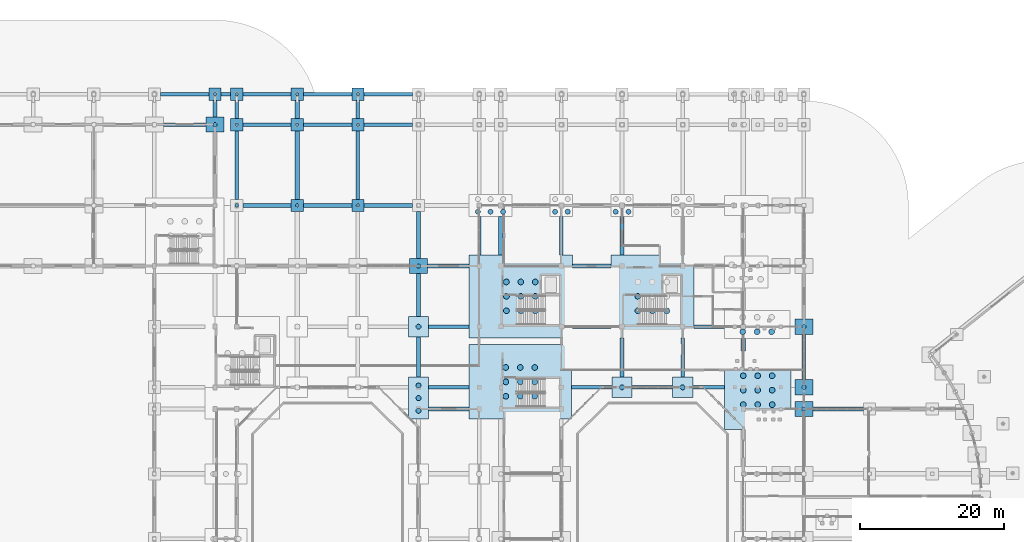
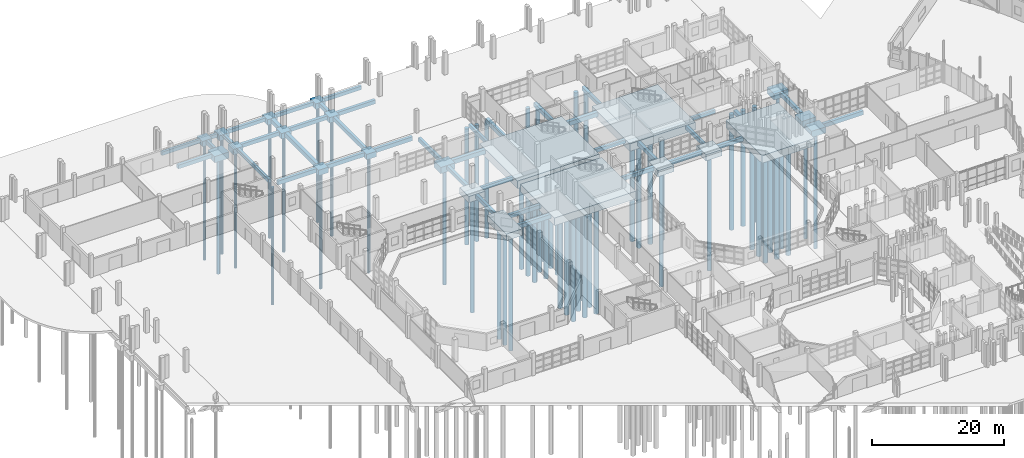
# One storey, part 6 of 88: 63 footings, 62 piles.
"""IFC4 building model written with IfcOpenShell, lengths in metres."""

from ifc_helpers import new_model, si_unit, direction, frame, origin, origin_2d, place, context, subcontext, project, spatial, rectangle, circle, extrude, material, material_profile, profile_set, type_object, element, save


model = new_model("IFC4")

# Units and contexts
model_context = context("Model", 3, precision=1e-05, world=origin(), true_north=direction((0.0, 1.0)))
body_context = subcontext(model_context, "Body", "Model", "MODEL_VIEW")
ifc_project = project(units=[si_unit("LENGTHUNIT", "METRE"), si_unit("AREAUNIT", "SQUARE_METRE"), si_unit("VOLUMEUNIT", "CUBIC_METRE"), si_unit("PLANEANGLEUNIT", "RADIAN"), si_unit("MASSUNIT", "GRAM", prefix="KILO")], contexts=[model_context])

# Site, building, storey
site_placement = place(None, origin())
site = spatial("IfcSite", under=ifc_project, at=site_placement, CompositionType="ELEMENT")
building_placement = place(site_placement, origin())
building = spatial("IfcBuilding", under=site, at=building_placement, Name="Vanh Quang Courtyard School", CompositionType="ELEMENT")
storey_placement = place(building_placement, origin())
storey = spatial("IfcBuildingStorey", under=building, at=storey_placement, Name="L00", CompositionType="ELEMENT", Elevation=0.0)

# Footings
ifc_material_1 = material(Name="Concrete C35/45", Category="concrete")
footing_type_1 = type_object("IfcFootingType", Name="FTG-GB-450x650", PredefinedType="FOOTING_BEAM", material=ifc_material_1)
footing_1_placement = place(storey_placement, frame((70.199951171875, 79.800048828125, -1.050048828125), z_axis=(0.0, 0.0, 1.0), x_axis=(1.0, 0.0, 0.0)))
element("IfcFooting", 1, at=footing_1_placement, inside=storey, type_object=footing_type_1, Name="Footing GB-04 (L00)", PredefinedType="FOOTING_BEAM", context=body_context, shape_type="SweptSolid", body=[
    extrude(rectangle(XDim=5.60009765625, YDim=0.449951171875, at=origin_2d()), origin(), (0.0, 0.0, 1.0), 0.64990234375),
])
footing_2_placement = place(storey_placement, frame((90.0, 79.800048828125, -1.050048828125), z_axis=(0.0, 0.0, 1.0), x_axis=(1.0, 0.0, 0.0)))
element("IfcFooting", 2, at=footing_2_placement, inside=storey, type_object=footing_type_1, Name="Footing GB-04 (L00)", PredefinedType="FOOTING_BEAM", context=body_context, shape_type="SweptSolid", body=[
    extrude(rectangle(XDim=5.300048828125, YDim=0.449951171875, at=origin_2d()), origin(), (0.0, 0.0, 1.0), 0.64990234375),
])
footing_3_placement = place(storey_placement, frame((106.27490234375, 79.800048828125, -1.050048828125), z_axis=(0.0, 0.0, 1.0), x_axis=(1.0, 0.0, 0.0)))
element("IfcFooting", 3, at=footing_3_placement, inside=storey, type_object=footing_type_1, Name="Footing GB-04 (L00)", PredefinedType="FOOTING_BEAM", context=body_context, shape_type="SweptSolid", body=[
    extrude(rectangle(XDim=4.25, YDim=0.449951171875, at=origin_2d()), origin(), (0.0, 0.0, 1.0), 0.64990234375),
])
footing_4_placement = place(storey_placement, frame((33.60009765625, 112.0, -1.050048828125), z_axis=(0.0, 0.0, 1.0), x_axis=(1.0, 0.0, 0.0)))
element("IfcFooting", 4, at=footing_4_placement, inside=storey, type_object=footing_type_1, Name="Footing GB-04 (L00)", PredefinedType="FOOTING_BEAM", context=body_context, shape_type="SweptSolid", body=[
    extrude(rectangle(XDim=6.699951171875, YDim=0.449951171875, at=origin_2d()), origin(), (0.0, 0.0, 1.0), 0.64990234375),
])
footing_5_placement = place(storey_placement, frame((39.300048828125, 112.0, -1.050048828125), z_axis=(0.0, 0.0, 1.0), x_axis=(1.0, 0.0, 0.0)))
element("IfcFooting", 5, at=footing_5_placement, inside=storey, type_object=footing_type_1, Name="Footing GB-04 (L00)", PredefinedType="FOOTING_BEAM", context=body_context, shape_type="SweptSolid", body=[
    extrude(rectangle(XDim=1.300048828125, YDim=0.449951171875, at=origin_2d()), origin(), (0.0, 0.0, 1.0), 0.64990234375),
])
for number, where, z_axis, x_axis, name in (
    (6, (45.0, 112.0, -1.050048828125), (0.0, 0.0, 1.0), (1.0, 0.0, 0.0), "Footing GB-04 (L00)"),
    (7, (53.39990234375, 112.0, -1.050048828125), (0.0, 0.0, 1.0), (1.0, 0.0, 0.0), "Footing GB-04 (L00)"),
    (8, (61.800048828125, 112.0, -1.050048828125), (0.0, 0.0, 1.0), (1.0, 0.0, 0.0), "Footing GB-04 (L00)"),
):
    element("IfcFooting", number, at=place(storey_placement, frame(where, z_axis=z_axis, x_axis=x_axis)), inside=storey, type_object=footing_type_1, Name=name, PredefinedType="FOOTING_BEAM", context=body_context, shape_type="SweptSolid", body=[
        extrude(rectangle(XDim=6.699951171875, YDim=0.449951171875, at=origin_2d()), origin(), (0.0, 0.0, 1.0), 0.64990234375),
    ])
footing_6_placement = place(storey_placement, frame((40.800048828125, 102.199951171875, -1.050048828125), z_axis=(0.0, 0.0, 1.0), x_axis=(0.0, 1.0, 0.0)))
element("IfcFooting", 9, at=footing_6_placement, inside=storey, type_object=footing_type_1, Name="Footing GB-04 (L00)", PredefinedType="FOOTING_BEAM", context=body_context, shape_type="SweptSolid", body=[
    extrude(rectangle(XDim=9.5, YDim=0.449951171875, at=origin_2d()), origin(), (0.0, 0.0, 1.0), 0.64990234375),
])
footing_7_placement = place(storey_placement, frame((40.800048828125, 109.89990234375, -1.050048828125), z_axis=(0.0, 0.0, 1.0), x_axis=(0.0, 1.0, 0.0)))
element("IfcFooting", 10, at=footing_7_placement, inside=storey, type_object=footing_type_1, Name="Footing GB-04 (L00)", PredefinedType="FOOTING_BEAM", context=body_context, shape_type="SweptSolid", body=[
    extrude(rectangle(XDim=2.5, YDim=0.449951171875, at=origin_2d()), origin(), (0.0, 0.0, 1.0), 0.64990234375),
])
footing_8_placement = place(storey_placement, frame((74.39990234375, 92.39990234375, -1.050048828125), z_axis=(0.0, 0.0, 1.0), x_axis=(0.0, 1.0, 0.0)))
element("IfcFooting", 11, at=footing_8_placement, inside=storey, type_object=footing_type_1, Name="Footing GB-04 (L00)", PredefinedType="FOOTING_BEAM", context=body_context, shape_type="SweptSolid", body=[
    extrude(rectangle(XDim=5.300048828125, YDim=0.449951171875, at=origin_2d()), origin(), (0.0, 0.0, 1.0), 0.64990234375),
])
footing_9_placement = place(storey_placement, frame((102.60009765625, 75.52490234375, -1.050048828125), z_axis=(0.0, 0.0, 1.0), x_axis=(0.0, 1.0, 0.0)))
element("IfcFooting", 12, at=footing_9_placement, inside=storey, type_object=footing_type_1, Name="Footing GB-04 (L00)", PredefinedType="FOOTING_BEAM", context=body_context, shape_type="SweptSolid", body=[
    extrude(rectangle(XDim=5.449951171875, YDim=0.449951171875, at=origin_2d()), origin(), (0.0, 0.0, 1.0), 0.64990234375),
])
footing_type_2 = type_object("IfcFootingType", Name="FTG-GB-500x700", PredefinedType="FOOTING_BEAM", material=ifc_material_1)
for number, where, z_axis, x_axis, name in (
    (13, (70.199951171875, 71.39990234375, -1.10009765625), (0.0, 0.0, 1.0), (1.0, 0.0, 0.0), "Footing GB-03 (L00)"),
    (14, (90.0, 71.39990234375, -1.10009765625), (0.0, 0.0, 1.0), (1.0, 0.0, 0.0), "Footing GB-03 (L00)"),
    (15, (98.39990234375, 71.39990234375, -1.10009765625), (0.0, 0.0, 1.0), (1.0, 0.0, 0.0), "Footing GB-03 (L00)"),
):
    element("IfcFooting", number, at=place(storey_placement, frame(where, z_axis=z_axis, x_axis=x_axis)), inside=storey, type_object=footing_type_2, Name=name, PredefinedType="FOOTING_BEAM", context=body_context, shape_type="SweptSolid", body=[
        extrude(rectangle(XDim=5.60009765625, YDim=0.5, at=origin_2d()), origin(), (0.0, 0.0, 1.0), 0.699951171875),
    ])
footing_10_placement = place(storey_placement, frame((106.199951171875, 71.39990234375, -1.10009765625), z_axis=(0.0, 0.0, 1.0), x_axis=(1.0, 0.0, 0.0)))
element("IfcFooting", 16, at=footing_10_placement, inside=storey, type_object=footing_type_2, Name="Footing GB-03 (L00)", PredefinedType="FOOTING_BEAM", context=body_context, shape_type="SweptSolid", body=[
    extrude(rectangle(XDim=4.39990234375, YDim=0.5, at=origin_2d()), origin(), (0.0, 0.0, 1.0), 0.699951171875),
])
footing_11_placement = place(storey_placement, frame((33.60009765625, 107.800048828125, -1.10009765625), z_axis=(0.0, 0.0, 1.0), x_axis=(1.0, 0.0, 0.0)))
element("IfcFooting", 17, at=footing_11_placement, inside=storey, type_object=footing_type_2, Name="Footing GB-03 (L00)", PredefinedType="FOOTING_BEAM", context=body_context, shape_type="SweptSolid", body=[
    extrude(rectangle(XDim=5.89990234375, YDim=0.5, at=origin_2d()), origin(), (0.0, 0.0, 1.0), 0.699951171875),
])
for number, where, z_axis, x_axis, name in (
    (18, (45.0, 107.800048828125, -1.10009765625), (0.0, 0.0, 1.0), (1.0, 0.0, 0.0), "Footing GB-03 (L00)"),
    (19, (53.39990234375, 107.800048828125, -1.10009765625), (0.0, 0.0, 1.0), (1.0, 0.0, 0.0), "Footing GB-03 (L00)"),
    (20, (61.800048828125, 107.800048828125, -1.10009765625), (0.0, 0.0, 1.0), (1.0, 0.0, 0.0), "Footing GB-03 (L00)"),
):
    element("IfcFooting", number, at=place(storey_placement, frame(where, z_axis=z_axis, x_axis=x_axis)), inside=storey, type_object=footing_type_2, Name=name, PredefinedType="FOOTING_BEAM", context=body_context, shape_type="SweptSolid", body=[
        extrude(rectangle(XDim=6.699951171875, YDim=0.5, at=origin_2d()), origin(), (0.0, 0.0, 1.0), 0.699951171875),
    ])
footing_12_placement = place(storey_placement, frame((37.800048828125, 110.0, -1.10009765625), z_axis=(0.0, 0.0, 1.0), x_axis=(0.0, 1.0, 0.0)))
element("IfcFooting", 21, at=footing_12_placement, inside=storey, type_object=footing_type_2, Name="Footing GB-03 (L00)", PredefinedType="FOOTING_BEAM", context=body_context, shape_type="SweptSolid", body=[
    extrude(rectangle(XDim=2.300048828125, YDim=0.5, at=origin_2d()), origin(), (0.0, 0.0, 1.0), 0.699951171875),
])
footing_13_placement = place(storey_placement, frame((66.0, 75.60009765625, -1.10009765625), z_axis=(0.0, 0.0, 1.0), x_axis=(0.0, 1.0, 0.0)))
element("IfcFooting", 22, at=footing_13_placement, inside=storey, type_object=footing_type_2, Name="Footing GB-03 (L00)", PredefinedType="FOOTING_BEAM", context=body_context, shape_type="SweptSolid", body=[
    extrude(rectangle(XDim=5.60009765625, YDim=0.5, at=origin_2d()), origin(), (0.0, 0.0, 1.0), 0.699951171875),
])
footing_14_placement = place(storey_placement, frame((66.0, 84.175048828125, -1.10009765625), z_axis=(0.0, 0.0, 1.0), x_axis=(0.0, 1.0, 0.0)))
element("IfcFooting", 23, at=footing_14_placement, inside=storey, type_object=footing_type_2, Name="Footing GB-03 (L00)", PredefinedType="FOOTING_BEAM", context=body_context, shape_type="SweptSolid", body=[
    extrude(rectangle(XDim=5.949951171875, YDim=0.5, at=origin_2d()), origin(), (0.0, 0.0, 1.0), 0.699951171875),
])
footing_15_placement = place(storey_placement, frame((66.0, 92.5, -1.10009765625), z_axis=(0.0, 0.0, 1.0), x_axis=(0.0, 1.0, 0.0)))
element("IfcFooting", 24, at=footing_15_placement, inside=storey, type_object=footing_type_2, Name="Footing GB-03 (L00)", PredefinedType="FOOTING_BEAM", context=body_context, shape_type="SweptSolid", body=[
    extrude(rectangle(XDim=6.5, YDim=0.5, at=origin_2d()), origin(), (0.0, 0.0, 1.0), 0.699951171875),
])
footing_16_placement = place(storey_placement, frame((94.199951171875, 75.52490234375, -1.10009765625), z_axis=(0.0, 0.0, 1.0), x_axis=(0.0, 1.0, 0.0)))
element("IfcFooting", 25, at=footing_16_placement, inside=storey, type_object=footing_type_2, Name="Footing GB-03 (L00)", PredefinedType="FOOTING_BEAM", context=body_context, shape_type="SweptSolid", body=[
    extrude(rectangle(XDim=5.449951171875, YDim=0.5, at=origin_2d()), origin(), (0.0, 0.0, 1.0), 0.699951171875),
])
footing_17_placement = place(storey_placement, frame((94.199951171875, 92.39990234375, -1.10009765625), z_axis=(0.0, 0.0, 1.0), x_axis=(0.0, 1.0, 0.0)))
element("IfcFooting", 26, at=footing_17_placement, inside=storey, type_object=footing_type_2, Name="Footing GB-03 (L00)", PredefinedType="FOOTING_BEAM", context=body_context, shape_type="SweptSolid", body=[
    extrude(rectangle(XDim=5.300048828125, YDim=0.5, at=origin_2d()), origin(), (0.0, 0.0, 1.0), 0.699951171875),
])
footing_type_3 = type_object("IfcFootingType", Name="FTG-GB-500x750", PredefinedType="FOOTING_BEAM", material=ifc_material_1)
footing_18_placement = place(storey_placement, frame((70.199951171875, 68.39990234375, -1.14990234375), z_axis=(0.0, 0.0, 1.0), x_axis=(1.0, 0.0, 0.0)))
element("IfcFooting", 27, at=footing_18_placement, inside=storey, type_object=footing_type_3, Name="Footing GB-02 (L00)", PredefinedType="FOOTING_BEAM", context=body_context, shape_type="SweptSolid", body=[
    extrude(rectangle(XDim=5.60009765625, YDim=0.5, at=origin_2d()), origin(), (0.0, 0.0, 1.0), 0.75),
])
footing_19_placement = place(storey_placement, frame((124.14990234375, 68.39990234375, -1.14990234375), z_axis=(0.0, 0.0, 1.0), x_axis=(1.0, 0.0, 0.0)))
element("IfcFooting", 28, at=footing_19_placement, inside=storey, type_object=footing_type_3, Name="Footing GB-02 (L00)", PredefinedType="FOOTING_BEAM", context=body_context, shape_type="SweptSolid", body=[
    extrude(rectangle(XDim=7.0, YDim=0.5, at=origin_2d()), origin(), (0.0, 0.0, 1.0), 0.75),
])
for number, where, z_axis, x_axis, name in (
    (29, (45.0, 96.60009765625, -1.14990234375), (0.0, 0.0, 1.0), (1.0, 0.0, 0.0), "Footing GB-02 (L00)"),
    (30, (53.39990234375, 96.60009765625, -1.14990234375), (0.0, 0.0, 1.0), (1.0, 0.0, 0.0), "Footing GB-02 (L00)"),
    (31, (61.800048828125, 96.60009765625, -1.14990234375), (0.0, 0.0, 1.0), (1.0, 0.0, 0.0), "Footing GB-02 (L00)"),
):
    element("IfcFooting", number, at=place(storey_placement, frame(where, z_axis=z_axis, x_axis=x_axis)), inside=storey, type_object=footing_type_3, Name=name, PredefinedType="FOOTING_BEAM", context=body_context, shape_type="SweptSolid", body=[
        extrude(rectangle(XDim=6.699951171875, YDim=0.5, at=origin_2d()), origin(), (0.0, 0.0, 1.0), 0.75),
    ])
footing_20_placement = place(storey_placement, frame((57.60009765625, 102.199951171875, -1.14990234375), z_axis=(0.0, 0.0, 1.0), x_axis=(0.0, 1.0, 0.0)))
element("IfcFooting", 32, at=footing_20_placement, inside=storey, type_object=footing_type_3, Name="Footing GB-02 (L00)", PredefinedType="FOOTING_BEAM", context=body_context, shape_type="SweptSolid", body=[
    extrude(rectangle(XDim=9.5, YDim=0.5, at=origin_2d()), origin(), (0.0, 0.0, 1.0), 0.75),
])
footing_21_placement = place(storey_placement, frame((57.60009765625, 109.89990234375, -1.14990234375), z_axis=(0.0, 0.0, 1.0), x_axis=(0.0, 1.0, 0.0)))
element("IfcFooting", 33, at=footing_21_placement, inside=storey, type_object=footing_type_3, Name="Footing GB-02 (L00)", PredefinedType="FOOTING_BEAM", context=body_context, shape_type="SweptSolid", body=[
    extrude(rectangle(XDim=2.5, YDim=0.5, at=origin_2d()), origin(), (0.0, 0.0, 1.0), 0.75),
])
footing_22_placement = place(storey_placement, frame((85.800048828125, 92.39990234375, -1.14990234375), z_axis=(0.0, 0.0, 1.0), x_axis=(0.0, 1.0, 0.0)))
element("IfcFooting", 34, at=footing_22_placement, inside=storey, type_object=footing_type_3, Name="Footing GB-02 (L00)", PredefinedType="FOOTING_BEAM", context=body_context, shape_type="SweptSolid", body=[
    extrude(rectangle(XDim=5.300048828125, YDim=0.5, at=origin_2d()), origin(), (0.0, 0.0, 1.0), 0.75),
])
footing_23_placement = place(storey_placement, frame((119.39990234375, 75.60009765625, -1.14990234375), z_axis=(0.0, 0.0, 1.0), x_axis=(0.0, 1.0, 0.0)))
element("IfcFooting", 35, at=footing_23_placement, inside=storey, type_object=footing_type_3, Name="Footing GB-02 (L00)", PredefinedType="FOOTING_BEAM", context=body_context, shape_type="SweptSolid", body=[
    extrude(rectangle(XDim=6.300048828125, YDim=0.5, at=origin_2d()), origin(), (0.0, 0.0, 1.0), 0.75),
])
footing_type_4 = type_object("IfcFootingType", Name="FTG-GB-600x800", PredefinedType="FOOTING_BEAM", material=ifc_material_1)
footing_24_placement = place(storey_placement, frame((70.125, 88.199951171875, -1.2001953125), z_axis=(0.0, 0.0, 1.0), x_axis=(1.0, 0.0, 0.0)))
element("IfcFooting", 36, at=footing_24_placement, inside=storey, type_object=footing_type_4, Name="Footing GB-01 (L00)", PredefinedType="FOOTING_BEAM", context=body_context, shape_type="SweptSolid", body=[
    extrude(rectangle(XDim=5.75, YDim=0.60009765625, at=origin_2d()), origin(), (0.0, 0.0, 1.0), 0.800048828125),
])
footing_25_placement = place(storey_placement, frame((90.0, 88.199951171875, -1.2001953125), z_axis=(0.0, 0.0, 1.0), x_axis=(1.0, 0.0, 0.0)))
element("IfcFooting", 37, at=footing_25_placement, inside=storey, type_object=footing_type_4, Name="Footing GB-01 (L00)", PredefinedType="FOOTING_BEAM", context=body_context, shape_type="SweptSolid", body=[
    extrude(rectangle(XDim=5.300048828125, YDim=0.60009765625, at=origin_2d()), origin(), (0.0, 0.0, 1.0), 0.800048828125),
])
footing_26_placement = place(storey_placement, frame((49.199951171875, 102.199951171875, -1.2001953125), z_axis=(0.0, 0.0, 1.0), x_axis=(0.0, 1.0, 0.0)))
element("IfcFooting", 38, at=footing_26_placement, inside=storey, type_object=footing_type_4, Name="Footing GB-01 (L00)", PredefinedType="FOOTING_BEAM", context=body_context, shape_type="SweptSolid", body=[
    extrude(rectangle(XDim=9.5, YDim=0.60009765625, at=origin_2d()), origin(), (0.0, 0.0, 1.0), 0.800048828125),
])
footing_27_placement = place(storey_placement, frame((49.199951171875, 109.89990234375, -1.2001953125), z_axis=(0.0, 0.0, 1.0), x_axis=(0.0, 1.0, 0.0)))
element("IfcFooting", 39, at=footing_27_placement, inside=storey, type_object=footing_type_4, Name="Footing GB-01 (L00)", PredefinedType="FOOTING_BEAM", context=body_context, shape_type="SweptSolid", body=[
    extrude(rectangle(XDim=2.5, YDim=0.60009765625, at=origin_2d()), origin(), (0.0, 0.0, 1.0), 0.800048828125),
])
footing_28_placement = place(storey_placement, frame((77.39990234375, 92.39990234375, -1.2001953125), z_axis=(0.0, 0.0, 1.0), x_axis=(0.0, 1.0, 0.0)))
element("IfcFooting", 40, at=footing_28_placement, inside=storey, type_object=footing_type_4, Name="Footing GB-01 (L00)", PredefinedType="FOOTING_BEAM", context=body_context, shape_type="SweptSolid", body=[
    extrude(rectangle(XDim=5.300048828125, YDim=0.60009765625, at=origin_2d()), origin(), (0.0, 0.0, 1.0), 0.800048828125),
])
footing_29_placement = place(storey_placement, frame((111.0, 77.300048828125, -1.2001953125), z_axis=(0.0, 0.0, 1.0), x_axis=(0.0, 1.0, 0.0)))
element("IfcFooting", 41, at=footing_29_placement, inside=storey, type_object=footing_type_4, Name="Footing GB-01 (L00)", PredefinedType="FOOTING_BEAM", context=body_context, shape_type="SweptSolid", body=[
    extrude(rectangle(XDim=1.699951171875, YDim=0.60009765625, at=origin_2d()), origin(), (0.0, 0.0, 1.0), 0.800048828125),
])
footing_type_5 = type_object("IfcFootingType", Name="FTG-PC-01", PredefinedType="PILE_CAP", material=ifc_material_1)
for number, where, z_axis, x_axis, name in (
    (42, (49.199951171875, 96.60009765625, -1.39990234375), (0.0, 0.0, 1.0), (1.0, 0.0, 0.0), "Footing PC-01 (L00)"),
    (43, (57.60009765625, 96.60009765625, -1.39990234375), (0.0, 0.0, 1.0), (1.0, 0.0, 0.0), "Footing PC-01 (L00)"),
    (44, (40.800048828125, 107.800048828125, -1.39990234375), (0.0, 0.0, 1.0), (1.0, 0.0, 0.0), "Footing PC-01 (L00)"),
    (45, (49.199951171875, 107.800048828125, -1.39990234375), (0.0, 0.0, 1.0), (1.0, 0.0, 0.0), "Footing PC-01 (L00)"),
    (46, (57.60009765625, 107.800048828125, -1.39990234375), (0.0, 0.0, 1.0), (1.0, 0.0, 0.0), "Footing PC-01 (L00)"),
    (47, (37.800048828125, 112.0, -1.39990234375), (0.0, 0.0, 1.0), (1.0, 0.0, 0.0), "Footing PC-01 (L00)"),
    (48, (40.800048828125, 112.0, -1.39990234375), (0.0, 0.0, 1.0), (1.0, 0.0, 0.0), "Footing PC-01 (L00)"),
    (49, (49.199951171875, 112.0, -1.39990234375), (0.0, 0.0, 1.0), (1.0, 0.0, 0.0), "Footing PC-01 (L00)"),
    (50, (57.60009765625, 112.0, -1.39990234375), (0.0, 0.0, 1.0), (1.0, 0.0, 0.0), "Footing PC-01 (L00)"),
):
    element("IfcFooting", number, at=place(storey_placement, frame(where, z_axis=z_axis, x_axis=x_axis)), inside=storey, type_object=footing_type_5, Name=name, PredefinedType="PILE_CAP", context=body_context, shape_type="SweptSolid", body=[
        extrude(rectangle(XDim=1.699951171875, YDim=1.699951171875, at=origin_2d()), origin(), (0.0, 0.0, 1.0), 1.0),
    ])
footing_type_6 = type_object("IfcFootingType", Name="FTG-PC-03", PredefinedType="PILE_CAP", material=ifc_material_1)
for number, where, z_axis, x_axis, name in (
    (51, (119.39990234375, 68.39990234375, -1.550048828125), (0.0, 0.0, 1.0), (1.0, 0.0, 0.0), "Footing PC-03 (L00)"),
    (52, (119.39990234375, 71.39990234375, -1.550048828125), (0.0, 0.0, 1.0), (1.0, 0.0, 0.0), "Footing PC-03 (L00)"),
    (53, (119.39990234375, 79.800048828125, -1.550048828125), (0.0, 0.0, 1.0), (1.0, 0.0, 0.0), "Footing PC-03 (L00)"),
    (54, (66.0, 88.199951171875, -1.550048828125), (0.0, 0.0, 1.0), (1.0, 0.0, 0.0), "Footing PC-03 (L00)"),
    (55, (37.800048828125, 107.800048828125, -1.550048828125), (0.0, 0.0, 1.0), (1.0, 0.0, 0.0), "Footing PC-03 (L00)"),
):
    element("IfcFooting", number, at=place(storey_placement, frame(where, z_axis=z_axis, x_axis=x_axis)), inside=storey, type_object=footing_type_6, Name=name, PredefinedType="PILE_CAP", context=body_context, shape_type="SweptSolid", body=[
        extrude(rectangle(XDim=2.5, YDim=2.10009765625, at=origin_2d()), origin(), (0.0, 0.0, 1.0), 1.14990234375),
    ])
footing_type_7 = type_object("IfcFootingType", Name="FTG-PC-14", PredefinedType="PILE_CAP", material=ifc_material_1)
for number, where, z_axis, x_axis, name in (
    (56, (94.199951171875, 71.39990234375, -1.550048828125), (0.0, 0.0, 1.0), (1.0, 0.0, 0.0), "Footing PC-14 (L00)"),
    (57, (102.60009765625, 71.39990234375, -1.550048828125), (0.0, 0.0, 1.0), (1.0, 0.0, 0.0), "Footing PC-14 (L00)"),
    (58, (66.0, 79.800048828125, -1.550048828125), (0.0, 0.0, 1.0), (1.0, 0.0, 0.0), "Footing PC-14 (L00)"),
):
    element("IfcFooting", number, at=place(storey_placement, frame(where, z_axis=z_axis, x_axis=x_axis)), inside=storey, type_object=footing_type_7, Name=name, PredefinedType="PILE_CAP", context=body_context, shape_type="SweptSolid", body=[
        extrude(rectangle(XDim=2.800048828125, YDim=2.800048828125, at=origin_2d()), origin(), (0.0, 0.0, 1.0), 1.14990234375),
    ])
footing_type_8 = type_object("IfcFootingType", Name="FTG-PC-21", PredefinedType="PILE_CAP", material=ifc_material_1)
footing_30_placement = place(storey_placement, frame((113.0, 71.0, -1.800048828125), z_axis=(0.0, 0.0, 1.0), x_axis=(1.0, 0.0, 0.0)))
element("IfcFooting", 59, at=footing_30_placement, inside=storey, type_object=footing_type_8, Name="Footing PC-21 (L00)", PredefinedType="PILE_CAP", context=body_context, shape_type="SweptSolid", body=[
    extrude(rectangle(XDim=9.199951171875, YDim=10.89990234375, at=origin_2d()), origin(), (0.0, 0.0, 1.0), 1.39990234375),
])
footing_type_9 = type_object("IfcFootingType", Name="FTG-PC-23", PredefinedType="PILE_CAP", material=ifc_material_1)
footing_31_placement = place(storey_placement, frame((66.0, 69.89990234375, -1.64990234375), z_axis=(0.0, 0.0, 1.0), x_axis=(1.0, 0.0, 0.0)))
element("IfcFooting", 60, at=footing_31_placement, inside=storey, type_object=footing_type_9, Name="Footing PC-23 (L00)", PredefinedType="PILE_CAP", context=body_context, shape_type="SweptSolid", body=[
    extrude(rectangle(XDim=2.800048828125, YDim=5.800048828125, at=origin_2d()), origin(), (0.0, 0.0, 1.0), 1.25),
])
footing_type_10 = type_object("IfcFootingType", Name="FTG-PC-24", PredefinedType="PILE_CAP", material=ifc_material_1)
footing_32_placement = place(storey_placement, frame((80.10009765625, 72.14990234375, -1.800048828125), z_axis=(0.0, 0.0, 1.0), x_axis=(1.0, 0.0, 0.0)))
element("IfcFooting", 61, at=footing_32_placement, inside=storey, type_object=footing_type_10, Name="Footing PC-24 (L00)", PredefinedType="PILE_CAP", context=body_context, shape_type="SweptSolid", body=[
    extrude(rectangle(XDim=14.199951171875, YDim=10.300048828125, at=origin_2d()), origin(), (0.0, 0.0, 1.0), 1.39990234375),
])
footing_type_11 = type_object("IfcFootingType", Name="FTG-PC-26", PredefinedType="PILE_CAP", material=ifc_material_1)
footing_33_placement = place(storey_placement, frame((80.175048828125, 84.0, -1.800048828125), z_axis=(0.0, 0.0, 1.0), x_axis=(1.0, 0.0, 0.0)))
element("IfcFooting", 62, at=footing_33_placement, inside=storey, type_object=footing_type_11, Name="Footing PC-26 (L00)", PredefinedType="PILE_CAP", context=body_context, shape_type="SweptSolid", body=[
    extrude(rectangle(XDim=14.35009765625, YDim=11.5, at=origin_2d()), origin(), (0.0, 0.0, 1.0), 1.39990234375),
])
footing_type_12 = type_object("IfcFootingType", Name="FTG-PC-27", PredefinedType="PILE_CAP", material=ifc_material_1)
footing_34_placement = place(storey_placement, frame((98.39990234375, 84.0, -1.800048828125), z_axis=(0.0, 0.0, 1.0), x_axis=(1.0, 0.0, 0.0)))
element("IfcFooting", 63, at=footing_34_placement, inside=storey, type_object=footing_type_12, Name="Footing PC-27 (L00)", PredefinedType="PILE_CAP", context=body_context, shape_type="SweptSolid", body=[
    extrude(rectangle(XDim=11.5, YDim=11.5, at=origin_2d()), origin(), (0.0, 0.0, 1.0), 1.39990234375),
])

# Piles
ifc_material_2 = material(Name="Concrete C30/37", Category="concrete")
ifc_material_profile_1 = material_profile(ifc_material_2, circle(Radius=0.25, at=origin_2d()), Name="PILE D500")
ifc_profile_set_1 = profile_set([ifc_material_profile_1], Name="Concrete C30/37")
pile_type_1 = type_object("IfcPileType", Name="PILE-BORED-500", PredefinedType="BORED", material=ifc_profile_set_1)
for number, where, z_axis, x_axis, name in (
    (64, (40.800048828125, 96.60009765625, -1.300048828125), (0.0, 0.0, -1.0), (1.0, 0.0, 0.0), "Bored Pile BP-01 (L00)"),
    (65, (49.199951171875, 96.60009765625, -1.300048828125), (0.0, 0.0, -1.0), (1.0, 0.0, 0.0), "Bored Pile BP-01 (L00)"),
    (66, (57.60009765625, 96.60009765625, -1.300048828125), (0.0, 0.0, -1.0), (1.0, 0.0, 0.0), "Bored Pile BP-01 (L00)"),
    (67, (40.800048828125, 107.800048828125, -1.300048828125), (0.0, 0.0, -1.0), (1.0, 0.0, 0.0), "Bored Pile BP-01 (L00)"),
    (68, (49.199951171875, 107.800048828125, -1.300048828125), (0.0, 0.0, -1.0), (1.0, 0.0, 0.0), "Bored Pile BP-01 (L00)"),
    (69, (57.60009765625, 107.800048828125, -1.300048828125), (0.0, 0.0, -1.0), (1.0, 0.0, 0.0), "Bored Pile BP-01 (L00)"),
    (70, (37.800048828125, 112.0, -1.300048828125), (0.0, 0.0, -1.0), (1.0, 0.0, 0.0), "Bored Pile BP-01 (L00)"),
    (71, (40.800048828125, 112.0, -1.300048828125), (0.0, 0.0, -1.0), (1.0, 0.0, 0.0), "Bored Pile BP-01 (L00)"),
    (72, (49.199951171875, 112.0, -1.300048828125), (0.0, 0.0, -1.0), (1.0, 0.0, 0.0), "Bored Pile BP-01 (L00)"),
    (73, (57.60009765625, 112.0, -1.300048828125), (0.0, 0.0, -1.0), (1.0, 0.0, 0.0), "Bored Pile BP-01 (L00)"),
):
    element("IfcPile", number, at=place(storey_placement, frame(where, z_axis=z_axis, x_axis=x_axis)), inside=storey, type_object=pile_type_1, Name=name, PredefinedType="BORED", context=body_context, shape_type="SweptSolid", body=[
        extrude(circle(Radius=0.25, at=origin_2d()), origin(), (0.0, 0.0, 1.0), 21.699951171875),
    ])
ifc_material_profile_2 = material_profile(ifc_material_2, circle(Radius=0.300048828125, at=origin_2d()), Name="PILE D600")
ifc_profile_set_2 = profile_set([ifc_material_profile_2], Name="Concrete C30/37")
pile_type_2 = type_object("IfcPileType", Name="PILE-BORED-600", PredefinedType="BORED", material=ifc_profile_set_2)
for number, where, z_axis, x_axis, name in (
    (74, (119.39990234375, 68.39990234375, -1.449951171875), (0.0, 0.0, -1.0), (1.0, 0.0, 0.0), "Bored Pile BP-02 (L00)"),
    (75, (119.39990234375, 71.39990234375, -1.449951171875), (0.0, 0.0, -1.0), (1.0, 0.0, 0.0), "Bored Pile BP-02 (L00)"),
    (76, (119.39990234375, 79.800048828125, -1.449951171875), (0.0, 0.0, -1.0), (1.0, 0.0, 0.0), "Bored Pile BP-02 (L00)"),
    (77, (66.0, 88.199951171875, -1.449951171875), (0.0, 0.0, -1.0), (1.0, 0.0, 0.0), "Bored Pile BP-02 (L00)"),
    (78, (37.800048828125, 107.800048828125, -1.449951171875), (0.0, 0.0, -1.0), (1.0, 0.0, 0.0), "Bored Pile BP-02 (L00)"),
):
    element("IfcPile", number, at=place(storey_placement, frame(where, z_axis=z_axis, x_axis=x_axis)), inside=storey, type_object=pile_type_2, Name=name, PredefinedType="BORED", context=body_context, shape_type="SweptSolid", body=[
        extrude(circle(Radius=0.300048828125, at=origin_2d()), origin(), (0.0, 0.0, 1.0), 21.550048828125),
    ])
ifc_material_profile_3 = material_profile(ifc_material_2, circle(Radius=0.35009765625, at=origin_2d()), Name="PILE D700")
ifc_profile_set_3 = profile_set([ifc_material_profile_3], Name="Concrete C30/37")
pile_type_3 = type_object("IfcPileType", Name="PILE-BORED-700", PredefinedType="BORED", material=ifc_profile_set_3)
for number, where, z_axis, x_axis, name in (
    (79, (66.0, 68.14990234375, -1.550048828125), (0.0, 0.0, -1.0), (1.0, 0.0, 0.0), "Bored Pile BP-03 (L00)"),
    (80, (66.0, 69.89990234375, -1.550048828125), (0.0, 0.0, -1.0), (1.0, 0.0, 0.0), "Bored Pile BP-03 (L00)"),
    (81, (66.0, 71.64990234375, -1.550048828125), (0.0, 0.0, -1.0), (1.0, 0.0, 0.0), "Bored Pile BP-03 (L00)"),
):
    element("IfcPile", number, at=place(storey_placement, frame(where, z_axis=z_axis, x_axis=x_axis)), inside=storey, type_object=pile_type_3, Name=name, PredefinedType="BORED", context=body_context, shape_type="SweptSolid", body=[
        extrude(circle(Radius=0.35009765625, at=origin_2d()), origin(), (0.0, 0.0, 1.0), 21.449951171875),
    ])
for number, where, z_axis, x_axis, name in (
    (82, (94.199951171875, 71.39990234375, -1.449951171875), (0.0, 0.0, -1.0), (1.0, 0.0, 0.0), "Bored Pile BP-03 (L00)"),
    (83, (102.60009765625, 71.39990234375, -1.449951171875), (0.0, 0.0, -1.0), (1.0, 0.0, 0.0), "Bored Pile BP-03 (L00)"),
    (84, (66.0, 79.800048828125, -1.449951171875), (0.0, 0.0, -1.0), (1.0, 0.0, 0.0), "Bored Pile BP-03 (L00)"),
):
    element("IfcPile", number, at=place(storey_placement, frame(where, z_axis=z_axis, x_axis=x_axis)), inside=storey, type_object=pile_type_3, Name=name, PredefinedType="BORED", context=body_context, shape_type="SweptSolid", body=[
        extrude(circle(Radius=0.35009765625, at=origin_2d()), origin(), (0.0, 0.0, 1.0), 21.550048828125),
    ])
for number, where, z_axis, x_axis, name in (
    (85, (74.22509765625, 95.72509765625, -1.550048828125), (0.0, 0.0, -1.0), (1.0, 0.0, 0.0), "Bored Pile BP-03 (L00)"),
    (86, (75.97509765625, 95.72509765625, -1.550048828125), (0.0, 0.0, -1.0), (1.0, 0.0, 0.0), "Bored Pile BP-03 (L00)"),
    (87, (77.72509765625, 95.72509765625, -1.550048828125), (0.0, 0.0, -1.0), (1.0, 0.0, 0.0), "Bored Pile BP-03 (L00)"),
    (88, (84.925048828125, 95.72509765625, -1.550048828125), (0.0, 0.0, -1.0), (1.0, 0.0, 0.0), "Bored Pile BP-03 (L00)"),
    (89, (86.675048828125, 95.72509765625, -1.550048828125), (0.0, 0.0, -1.0), (1.0, 0.0, 0.0), "Bored Pile BP-03 (L00)"),
    (90, (93.324951171875, 95.72509765625, -1.550048828125), (0.0, 0.0, -1.0), (1.0, 0.0, 0.0), "Bored Pile BP-03 (L00)"),
    (91, (95.074951171875, 95.72509765625, -1.550048828125), (0.0, 0.0, -1.0), (1.0, 0.0, 0.0), "Bored Pile BP-03 (L00)"),
):
    element("IfcPile", number, at=place(storey_placement, frame(where, z_axis=z_axis, x_axis=x_axis)), inside=storey, type_object=pile_type_3, Name=name, PredefinedType="BORED", context=body_context, shape_type="SweptSolid", body=[
        extrude(circle(Radius=0.35009765625, at=origin_2d()), origin(), (0.0, 0.0, 1.0), 21.449951171875),
    ])
ifc_material_profile_4 = material_profile(ifc_material_2, circle(Radius=0.39990234375, at=origin_2d()), Name="PILE D800")
ifc_profile_set_4 = profile_set([ifc_material_profile_4], Name="Concrete C30/37")
pile_type_4 = type_object("IfcPileType", Name="PILE-BORED-800", PredefinedType="BORED", material=ifc_profile_set_4)
for number, where, z_axis, x_axis, name in (
    (92, (111.0, 69.0, -1.699951171875), (0.0, 0.0, -1.0), (1.0, 0.0, 0.0), "Bored Pile BP-04 (L00)"),
    (93, (111.0, 71.0, -1.699951171875), (0.0, 0.0, -1.0), (1.0, 0.0, 0.0), "Bored Pile BP-04 (L00)"),
    (94, (111.0, 73.0, -1.699951171875), (0.0, 0.0, -1.0), (1.0, 0.0, 0.0), "Bored Pile BP-04 (L00)"),
    (95, (113.0, 69.0, -1.699951171875), (0.0, 0.0, -1.0), (1.0, 0.0, 0.0), "Bored Pile BP-04 (L00)"),
    (96, (113.0, 71.0, -1.699951171875), (0.0, 0.0, -1.0), (1.0, 0.0, 0.0), "Bored Pile BP-04 (L00)"),
    (97, (113.0, 73.0, -1.699951171875), (0.0, 0.0, -1.0), (1.0, 0.0, 0.0), "Bored Pile BP-04 (L00)"),
    (98, (115.0, 69.0, -1.699951171875), (0.0, 0.0, -1.0), (1.0, 0.0, 0.0), "Bored Pile BP-04 (L00)"),
    (99, (115.0, 71.0, -1.699951171875), (0.0, 0.0, -1.0), (1.0, 0.0, 0.0), "Bored Pile BP-04 (L00)"),
    (100, (115.0, 73.0, -1.699951171875), (0.0, 0.0, -1.0), (1.0, 0.0, 0.0), "Bored Pile BP-04 (L00)"),
    (101, (78.10009765625, 70.14990234375, -1.699951171875), (0.0, 0.0, -1.0), (1.0, 0.0, 0.0), "Bored Pile BP-04 (L00)"),
    (102, (78.10009765625, 72.14990234375, -1.699951171875), (0.0, 0.0, -1.0), (1.0, 0.0, 0.0), "Bored Pile BP-04 (L00)"),
    (103, (78.10009765625, 74.14990234375, -1.699951171875), (0.0, 0.0, -1.0), (1.0, 0.0, 0.0), "Bored Pile BP-04 (L00)"),
    (104, (80.10009765625, 70.14990234375, -1.699951171875), (0.0, 0.0, -1.0), (1.0, 0.0, 0.0), "Bored Pile BP-04 (L00)"),
    (105, (80.10009765625, 72.14990234375, -1.699951171875), (0.0, 0.0, -1.0), (1.0, 0.0, 0.0), "Bored Pile BP-04 (L00)"),
    (106, (80.10009765625, 74.14990234375, -1.699951171875), (0.0, 0.0, -1.0), (1.0, 0.0, 0.0), "Bored Pile BP-04 (L00)"),
    (107, (82.10009765625, 70.14990234375, -1.699951171875), (0.0, 0.0, -1.0), (1.0, 0.0, 0.0), "Bored Pile BP-04 (L00)"),
    (108, (82.10009765625, 72.14990234375, -1.699951171875), (0.0, 0.0, -1.0), (1.0, 0.0, 0.0), "Bored Pile BP-04 (L00)"),
    (109, (82.10009765625, 74.14990234375, -1.699951171875), (0.0, 0.0, -1.0), (1.0, 0.0, 0.0), "Bored Pile BP-04 (L00)"),
    (110, (110.925048828125, 79.10009765625, -1.699951171875), (0.0, 0.0, -1.0), (1.0, 0.0, 0.0), "Bored Pile BP-04 (L00)"),
    (111, (112.925048828125, 79.10009765625, -1.699951171875), (0.0, 0.0, -1.0), (1.0, 0.0, 0.0), "Bored Pile BP-04 (L00)"),
    (112, (114.925048828125, 79.10009765625, -1.699951171875), (0.0, 0.0, -1.0), (1.0, 0.0, 0.0), "Bored Pile BP-04 (L00)"),
    (113, (78.175048828125, 82.0, -1.699951171875), (0.0, 0.0, -1.0), (1.0, 0.0, 0.0), "Bored Pile BP-04 (L00)"),
    (114, (78.175048828125, 84.0, -1.699951171875), (0.0, 0.0, -1.0), (1.0, 0.0, 0.0), "Bored Pile BP-04 (L00)"),
    (115, (78.175048828125, 86.0, -1.699951171875), (0.0, 0.0, -1.0), (1.0, 0.0, 0.0), "Bored Pile BP-04 (L00)"),
    (116, (80.175048828125, 82.0, -1.699951171875), (0.0, 0.0, -1.0), (1.0, 0.0, 0.0), "Bored Pile BP-04 (L00)"),
    (117, (80.175048828125, 84.0, -1.699951171875), (0.0, 0.0, -1.0), (1.0, 0.0, 0.0), "Bored Pile BP-04 (L00)"),
    (118, (80.175048828125, 86.0, -1.699951171875), (0.0, 0.0, -1.0), (1.0, 0.0, 0.0), "Bored Pile BP-04 (L00)"),
    (119, (82.175048828125, 82.0, -1.699951171875), (0.0, 0.0, -1.0), (1.0, 0.0, 0.0), "Bored Pile BP-04 (L00)"),
    (120, (82.175048828125, 84.0, -1.699951171875), (0.0, 0.0, -1.0), (1.0, 0.0, 0.0), "Bored Pile BP-04 (L00)"),
    (121, (82.175048828125, 86.0, -1.699951171875), (0.0, 0.0, -1.0), (1.0, 0.0, 0.0), "Bored Pile BP-04 (L00)"),
    (122, (96.39990234375, 82.0, -1.699951171875), (0.0, 0.0, -1.0), (1.0, 0.0, 0.0), "Bored Pile BP-04 (L00)"),
    (123, (96.39990234375, 84.0, -1.699951171875), (0.0, 0.0, -1.0), (1.0, 0.0, 0.0), "Bored Pile BP-04 (L00)"),
    (124, (98.39990234375, 82.0, -1.699951171875), (0.0, 0.0, -1.0), (1.0, 0.0, 0.0), "Bored Pile BP-04 (L00)"),
    (125, (100.39990234375, 82.0, -1.699951171875), (0.0, 0.0, -1.0), (1.0, 0.0, 0.0), "Bored Pile BP-04 (L00)"),
):
    element("IfcPile", number, at=place(storey_placement, frame(where, z_axis=z_axis, x_axis=x_axis)), inside=storey, type_object=pile_type_4, Name=name, PredefinedType="BORED", context=body_context, shape_type="SweptSolid", body=[
        extrude(circle(Radius=0.39990234375, at=origin_2d()), origin(), (0.0, 0.0, 1.0), 21.300048828125),
    ])

save(model, "model.ifc")
